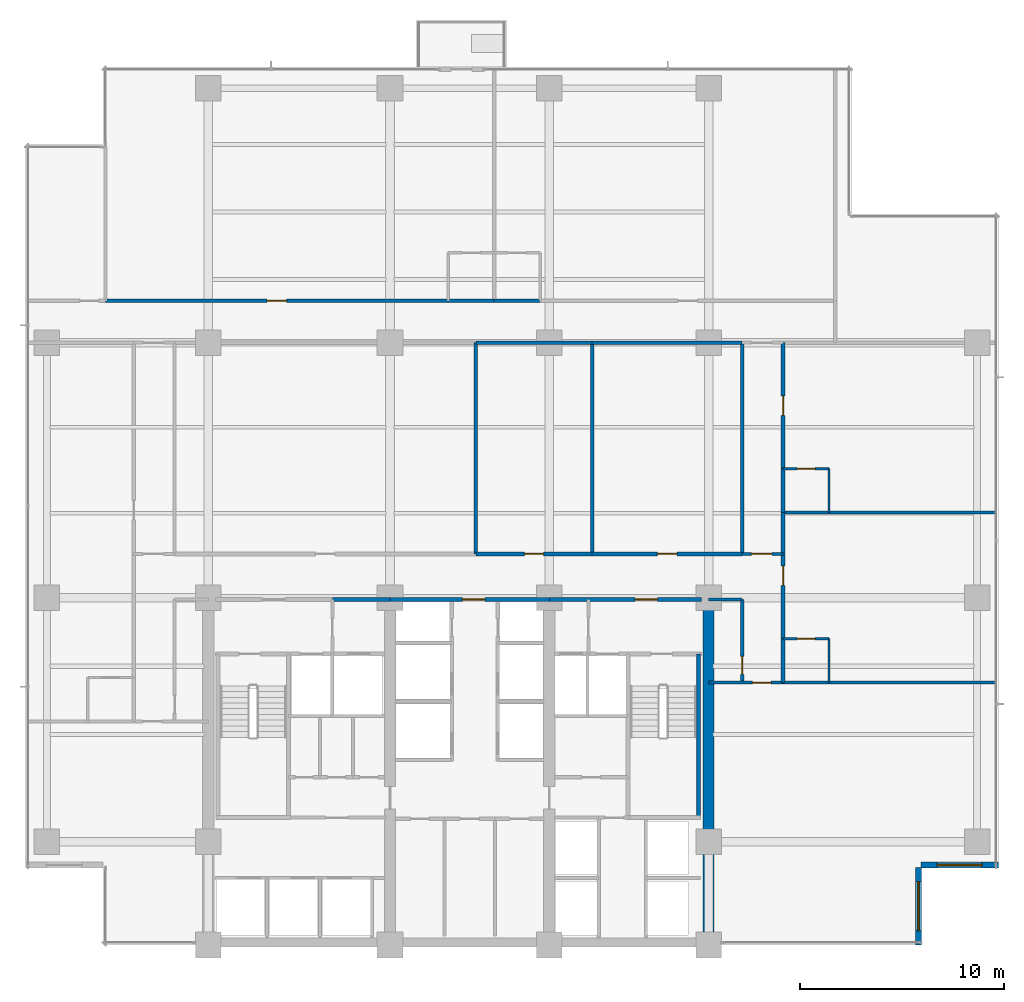
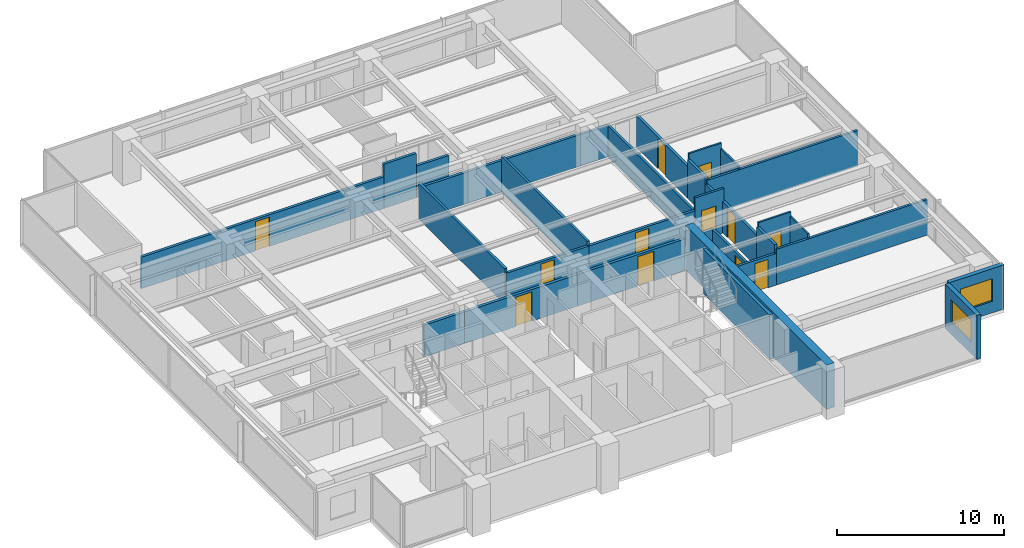
# One storey, part 10 of 16: 31 walls, 12 doors, 2 windows, 14 openings.
"""IFC4 building model written with IfcOpenShell, lengths in metres."""

from ifc_helpers import new_model, si_unit, direction, frame, frame_2d, origin, place, context, subcontext, project, spatial, rectangle, extrude, material, layer, layer_set, type_object, element, fill, save


model = new_model("IFC4")

# Units and contexts
model_context = context("Model", 3, precision=1e-05, world=origin(), true_north=direction((0.0, 1.0)))
body_context = subcontext(model_context, "Body", "Model", "MODEL_VIEW")
ifc_project = project(units=[si_unit("LENGTHUNIT", "METRE"), si_unit("AREAUNIT", "SQUARE_METRE"), si_unit("VOLUMEUNIT", "CUBIC_METRE"), si_unit("PLANEANGLEUNIT", "RADIAN"), si_unit("MASSUNIT", "GRAM", prefix="KILO")], contexts=[model_context])

# Site, building, storey
site_placement = place(None, origin())
site = spatial("IfcSite", under=ifc_project, at=site_placement, CompositionType="ELEMENT")
building_placement = place(site_placement, origin())
building = spatial("IfcBuilding", under=site, at=building_placement, Name="Qalmaran Belvedere Hotel", CompositionType="ELEMENT")
storey_placement = place(building_placement, frame((0.0, 0.0, 123.199951171875)))
storey = spatial("IfcBuildingStorey", under=building, at=storey_placement, Name="L31", CompositionType="ELEMENT", Elevation=123.199951171875)

# Wall
ifc_material_1 = material(Name="Concrete C60/75", Category="concrete")
ifc_layer_1 = layer(ifc_material_1, 0.550048828125, Name="Concrete C60/75")
ifc_layer_set_1 = layer_set([ifc_layer_1], Name="Concrete C60/75")
wall_type_1 = type_object("IfcWallType", Name="WL-CORE-550-C60", PredefinedType="SHEAR", material=ifc_layer_set_1)
wall_1_placement = place(storey_placement, frame((44.800048828125, 3.5, 0.0), z_axis=(0.0, 0.0, 1.0), x_axis=(0.0, 1.0, 0.0)))
element("IfcWall", 1, at=wall_1_placement, inside=storey, type_object=wall_type_1, Name="L31 East Core Shear Wall", PredefinedType="SHEAR", context=body_context, shape_type="SweptSolid", body=[
    extrude(rectangle(XDim=16.89990234375, YDim=0.550048828125, at=frame_2d((8.449951171875, 0.0))), origin(), (0.0, 0.0, 1.0), 3.239990234375),
])

# Wall, opening, window
ifc_material_2 = material(Name="Anodised Bronze Cladding")
ifc_layer_2 = layer(ifc_material_2, 0.280029296875, Name="Anodised Bronze Cladding")
ifc_layer_set_2 = layer_set([ifc_layer_2], Name="Anodised Bronze Cladding")
wall_type_2 = type_object("IfcWallType", Name="WL-EXT-BRNZ-280", PredefinedType="SOLIDWALL", material=ifc_layer_set_2)
wall_2_placement = place(storey_placement, frame((55.080078125, 3.5, 0.0), z_axis=(0.0, 0.0, 1.0), x_axis=(0.0, 1.0, 0.0)))
wall_2 = element("IfcWall", 2, at=wall_2_placement, inside=storey, type_object=wall_type_2, Name="L31 Corner Notch Wall 1", PredefinedType="SOLIDWALL", context=body_context, shape_type="SweptSolid", body=[
    extrude(rectangle(XDim=3.800048828125, YDim=0.280029296875, at=frame_2d((1.89990234375, 0.0))), origin(), (0.0, 0.0, 1.0), 3.239990234375),
])
opening_1_placement = place(wall_2_placement, frame((0.699951171875, 0.0, 0.85009765625)))
opening_1 = element("IfcOpeningElement", 3, at=opening_1_placement, cuts=wall_2, Name="Opening W-N24", PredefinedType="OPENING", context=body_context, shape_type="SweptSolid", body=[
    extrude(rectangle(XDim=2.39990234375, YDim=1.64990234375, at=frame_2d((1.199951171875, 0.824951171875))), frame((0.0, 0.14990234375, 0.0), z_axis=(0.0, -1.0, 0.0), x_axis=(1.0, 0.0, 0.0)), (0.0, 0.0, 1.0), 0.300048828125),
])
ifc_material_3 = material(Name="Solar-Control Double Glazing", Category="glass")
window_type_1 = type_object("IfcWindowType", Name="WN-NTC-2400X1650", PartitioningType="SINGLE_PANEL", PredefinedType="WINDOW", material=ifc_material_3)
window_1_placement = place(opening_1_placement, origin())
window_1 = element("IfcWindow", 4, at=window_1_placement, inside=storey, type_object=window_type_1, Name="L31 Corner Notch Window 1", OverallHeight=1.64990234375, OverallWidth=2.39990234375, PartitioningType="SINGLE_PANEL", PredefinedType="WINDOW", context=body_context, shape_type="SweptSolid", body=[
    extrude(rectangle(XDim=2.39990234375, YDim=1.64990234375, at=frame_2d((1.199951171875, 0.824951171875))), frame((0.0, 0.030029296875, 0.0), z_axis=(0.0, -1.0, 0.0), x_axis=(1.0, 0.0, 0.0)), (0.0, 0.0, 1.0), 0.06005859375),
])
fill(opening_1, window_1)

wall_3_placement = place(storey_placement, frame((55.199951171875, 7.419921875, 0.0), z_axis=(0.0, 0.0, 1.0), x_axis=(1.0, 0.0, 0.0)))
wall_3 = element("IfcWall", 5, at=wall_3_placement, inside=storey, type_object=wall_type_2, Name="L31 Corner Notch Wall 2", PredefinedType="SOLIDWALL", context=body_context, shape_type="SweptSolid", body=[
    extrude(rectangle(XDim=3.800048828125, YDim=0.280029296875, at=frame_2d((1.89990234375, 0.0))), origin(), (0.0, 0.0, 1.0), 3.239990234375),
])
opening_2_placement = place(wall_3_placement, frame((0.800048828125, 0.0, 0.85009765625)))
opening_2 = element("IfcOpeningElement", 6, at=opening_2_placement, cuts=wall_3, Name="Opening W-N22", PredefinedType="OPENING", context=body_context, shape_type="SweptSolid", body=[
    extrude(rectangle(XDim=2.199951171875, YDim=1.64990234375, at=frame_2d((1.10009765625, 0.824951171875))), frame((0.0, 0.14990234375, 0.0), z_axis=(0.0, -1.0, 0.0), x_axis=(1.0, 0.0, 0.0)), (0.0, 0.0, 1.0), 0.300048828125),
])
window_type_2 = type_object("IfcWindowType", Name="WN-NTC-2200X1650", PartitioningType="SINGLE_PANEL", PredefinedType="WINDOW", material=ifc_material_3)
window_2_placement = place(opening_2_placement, origin())
window_2 = element("IfcWindow", 7, at=window_2_placement, inside=storey, type_object=window_type_2, Name="L31 Corner Notch Window 2", OverallHeight=1.64990234375, OverallWidth=2.199951171875, PartitioningType="SINGLE_PANEL", PredefinedType="WINDOW", context=body_context, shape_type="SweptSolid", body=[
    extrude(rectangle(XDim=2.199951171875, YDim=1.64990234375, at=frame_2d((1.10009765625, 0.824951171875))), frame((0.0, 0.030029296875, 0.0), z_axis=(0.0, -1.0, 0.0), x_axis=(1.0, 0.0, 0.0)), (0.0, 0.0, 1.0), 0.06005859375),
])
fill(opening_2, window_2)

# Wall, opening, door
ifc_material_4 = material(Name="Moisture-Resistant Gypsum")
ifc_layer_3 = layer(ifc_material_4, 0.1201171875, Name="Moisture-Resistant Gypsum")
ifc_layer_set_3 = layer_set([ifc_layer_3], Name="Moisture-Resistant Gypsum")
wall_type_3 = type_object("IfcWallType", Name="WL-INT-120-BATH", PredefinedType="PARTITIONING", material=ifc_layer_set_3)
wall_4_placement = place(storey_placement, frame((48.449951171875, 18.5, 0.0), z_axis=(0.0, 0.0, 1.0), x_axis=(1.0, 0.0, 0.0)))
wall_4 = element("IfcWall", 8, at=wall_4_placement, inside=storey, type_object=wall_type_3, Name="L31 Partition WL-L31-EBN00", PredefinedType="PARTITIONING", context=body_context, shape_type="SweptSolid", body=[
    extrude(rectangle(XDim=2.25, YDim=0.1201171875, at=frame_2d((1.125, 0.0))), origin(), (0.0, 0.0, 1.0), 3.239990234375),
])
opening_3_placement = place(wall_4_placement, frame((1.56494140625, 0.0, 0.0), z_axis=(0.0, 0.0, 1.0), x_axis=(-1.0, 0.0, 0.0)))
opening_3 = element("IfcOpeningElement", 9, at=opening_3_placement, cuts=wall_4, Name="Opening D-BATH", PredefinedType="OPENING", context=body_context, shape_type="SweptSolid", body=[
    extrude(rectangle(XDim=0.8798828125, YDim=2.080078125, at=frame_2d((0.43994140625, 1.0400390625))), frame((0.0, 0.070068359375, 0.0), z_axis=(0.0, -1.0, 0.0), x_axis=(1.0, 0.0, 0.0)), (0.0, 0.0, 1.0), 0.14013671875),
])
ifc_material_5 = material(Name="Engineered Oak Veneer")
door_type_1 = type_object("IfcDoorType", Name="DR-INT-BATH-880X2080", OperationType="NOTDEFINED", PredefinedType="DOOR", material=ifc_material_5)
door_1_placement = place(opening_3_placement, origin())
door_1 = element("IfcDoor", 10, at=door_1_placement, inside=storey, type_object=door_type_1, Name="L31 E Ensuite Door 01", OperationType="SINGLE_SWING_RIGHT", OverallHeight=2.080078125, OverallWidth=0.8798828125, PredefinedType="DOOR", context=body_context, shape_type="SweptSolid", body=[
    extrude(rectangle(XDim=0.8798828125, YDim=2.080078125, at=frame_2d((0.43994140625, 1.0400390625))), frame((0.0, 0.02490234375, 0.0), z_axis=(0.0, -1.0, 0.0), x_axis=(1.0, 0.0, 0.0)), (0.0, 0.0, 1.0), 0.050048828125),
])
fill(opening_3, door_1)

# Wall
wall_5_placement = place(storey_placement, frame((50.699951171875, 16.35009765625, 0.0), z_axis=(0.0, 0.0, 1.0), x_axis=(0.0, 1.0, 0.0)))
element("IfcWall", 11, at=wall_5_placement, inside=storey, type_object=wall_type_3, Name="L31 Partition WL-L31-EBS00", PredefinedType="PARTITIONING", context=body_context, shape_type="SweptSolid", body=[
    extrude(rectangle(XDim=2.14990234375, YDim=0.1201171875, at=frame_2d((1.074951171875, 0.0))), origin(), (0.0, 0.0, 1.0), 2.922119140625),
])

# Wall, opening, door
wall_6_placement = place(storey_placement, frame((48.449951171875, 26.824951171875, 0.0), z_axis=(0.0, 0.0, 1.0), x_axis=(1.0, 0.0, 0.0)))
wall_6 = element("IfcWall", 12, at=wall_6_placement, inside=storey, type_object=wall_type_3, Name="L31 Partition WL-L31-EBN01", PredefinedType="PARTITIONING", context=body_context, shape_type="SweptSolid", body=[
    extrude(rectangle(XDim=2.25, YDim=0.1201171875, at=frame_2d((1.125, 0.0))), origin(), (0.0, 0.0, 1.0), 3.239990234375),
])
opening_4_placement = place(wall_6_placement, frame((1.56494140625, 0.0, 0.0), z_axis=(0.0, 0.0, 1.0), x_axis=(-1.0, 0.0, 0.0)))
opening_4 = element("IfcOpeningElement", 13, at=opening_4_placement, cuts=wall_6, Name="Opening D-BATH", PredefinedType="OPENING", context=body_context, shape_type="SweptSolid", body=[
    extrude(rectangle(XDim=0.8798828125, YDim=2.080078125, at=frame_2d((0.43994140625, 1.0400390625))), frame((0.0, 0.070068359375, 0.0), z_axis=(0.0, -1.0, 0.0), x_axis=(1.0, 0.0, 0.0)), (0.0, 0.0, 1.0), 0.14013671875),
])
door_2_placement = place(opening_4_placement, origin())
door_2 = element("IfcDoor", 14, at=door_2_placement, inside=storey, type_object=door_type_1, Name="L31 E Ensuite Door 02", OperationType="SINGLE_SWING_RIGHT", OverallHeight=2.080078125, OverallWidth=0.8798828125, PredefinedType="DOOR", context=body_context, shape_type="SweptSolid", body=[
    extrude(rectangle(XDim=0.8798828125, YDim=2.080078125, at=frame_2d((0.43994140625, 1.0400390625))), frame((0.0, 0.02490234375, 0.0), z_axis=(0.0, -1.0, 0.0), x_axis=(1.0, 0.0, 0.0)), (0.0, 0.0, 1.0), 0.050048828125),
])
fill(opening_4, door_2)

# Wall
wall_7_placement = place(storey_placement, frame((50.699951171875, 24.675048828125, 0.0), z_axis=(0.0, 0.0, 1.0), x_axis=(0.0, 1.0, 0.0)))
element("IfcWall", 15, at=wall_7_placement, inside=storey, type_object=wall_type_3, Name="L31 Partition WL-L31-EBS01", PredefinedType="PARTITIONING", context=body_context, shape_type="SweptSolid", body=[
    extrude(rectangle(XDim=2.14990234375, YDim=0.1201171875, at=frame_2d((1.074951171875, 0.0))), origin(), (0.0, 0.0, 1.0), 2.818115234375),
])

# Wall, opening, door
ifc_material_6 = material(Name="Gypsum Stud Partition")
ifc_layer_4 = layer(ifc_material_6, 0.14990234375, Name="Gypsum Stud Partition")
ifc_layer_set_4 = layer_set([ifc_layer_4], Name="Gypsum Stud Partition")
wall_type_4 = type_object("IfcWallType", Name="WL-INT-150-EI60", PredefinedType="PARTITIONING", material=ifc_layer_set_4)
wall_8_placement = place(storey_placement, frame((46.449951171875, 22.64990234375, 0.0), z_axis=(0.0, 0.0, 1.0), x_axis=(1.0, 0.0, 0.0)))
wall_8 = element("IfcWall", 16, at=wall_8_placement, inside=storey, type_object=wall_type_4, Name="L31 Partition WL-L31-XCE1", PredefinedType="PARTITIONING", context=body_context, shape_type="SweptSolid", body=[
    extrude(rectangle(XDim=2.0, YDim=0.14990234375, at=frame_2d((1.0, 0.0))), origin(), (0.0, 0.0, 1.0), 3.239990234375),
])
opening_5_placement = place(wall_8_placement, frame((0.449951171875, 0.0, 0.0)))
opening_5 = element("IfcOpeningElement", 17, at=opening_5_placement, cuts=wall_8, Name="Opening FD90B", PredefinedType="OPENING", context=body_context, shape_type="SweptSolid", body=[
    extrude(rectangle(XDim=1.0, YDim=2.14990234375, at=frame_2d((0.5, 1.074951171875))), frame((0.0, 0.0849609375, 0.0), z_axis=(0.0, -1.0, 0.0), x_axis=(1.0, 0.0, 0.0)), (0.0, 0.0, 1.0), 0.169921875),
])
ifc_material_7 = material(Name="Steel S355JR", Category="steel")
door_type_2 = type_object("IfcDoorType", Name="DR-FD90B-1000X2150", OperationType="NOTDEFINED", PredefinedType="DOOR", material=ifc_material_7)
door_3_placement = place(opening_5_placement, origin())
door_3 = element("IfcDoor", 18, at=door_3_placement, inside=storey, type_object=door_type_2, Name="L31 East Corridor Smoke Door S", OperationType="SINGLE_SWING_LEFT", OverallHeight=2.14990234375, OverallWidth=1.0, PredefinedType="DOOR", context=body_context, shape_type="SweptSolid", body=[
    extrude(rectangle(XDim=1.0, YDim=2.14990234375, at=frame_2d((0.5, 1.074951171875))), frame((0.0, 0.02490234375, 0.0), z_axis=(0.0, -1.0, 0.0), x_axis=(1.0, 0.0, 0.0)), (0.0, 0.0, 1.0), 0.050048828125),
])
fill(opening_5, door_3)

ifc_layer_5 = layer(ifc_material_6, 0.159912109375, Name="Gypsum Stud Partition")
ifc_layer_set_5 = layer_set([ifc_layer_5], Name="Gypsum Stud Partition")
wall_type_5 = type_object("IfcWallType", Name="WL-INT-160-EI60", PredefinedType="PARTITIONING", material=ifc_layer_set_5)
wall_9_placement = place(storey_placement, frame((44.800048828125, 16.35009765625, 0.0), z_axis=(0.0, 0.0, 1.0), x_axis=(1.0, 0.0, 0.0)))
wall_9 = element("IfcWall", 19, at=wall_9_placement, inside=storey, type_object=wall_type_5, Name="L31 Partition WL-L31-SERL", PredefinedType="PARTITIONING", context=body_context, shape_type="SweptSolid", body=[
    extrude(rectangle(XDim=3.64990234375, YDim=0.159912109375, at=frame_2d((1.824951171875, 0.0))), origin(), (0.0, 0.0, 1.0), 2.31298828125),
])
opening_6_placement = place(wall_9_placement, frame((3.06982421875, 0.0, 0.0), z_axis=(0.0, 0.0, 1.0), x_axis=(-1.0, 0.0, 0.0)))
opening_6 = element("IfcOpeningElement", 20, at=opening_6_placement, cuts=wall_9, Name="Opening FD60S1", PredefinedType="OPENING", context=body_context, shape_type="SweptSolid", body=[
    extrude(rectangle(XDim=0.919921875, YDim=2.080078125, at=frame_2d((0.4599609375, 1.0400390625))), frame((0.0, 0.08984375, 0.0), z_axis=(0.0, -1.0, 0.0), x_axis=(1.0, 0.0, 0.0)), (0.0, 0.0, 1.0), 0.179931640625),
])
door_type_3 = type_object("IfcDoorType", Name="DR-FD60S-920X2080", OperationType="NOTDEFINED", PredefinedType="DOOR", material=ifc_material_5)
door_4_placement = place(opening_6_placement, origin())
door_4 = element("IfcDoor", 21, at=door_4_placement, inside=storey, type_object=door_type_3, Name="L31 SE Lounge Door", OperationType="SINGLE_SWING_RIGHT", OverallHeight=2.080078125, OverallWidth=0.919921875, PredefinedType="DOOR", context=body_context, shape_type="SweptSolid", body=[
    extrude(rectangle(XDim=0.919921875, YDim=2.080078125, at=frame_2d((0.4599609375, 1.0400390625))), frame((0.0, 0.02490234375, 0.0), z_axis=(0.0, -1.0, 0.0), x_axis=(1.0, 0.0, 0.0)), (0.0, 0.0, 1.0), 0.050048828125),
])
fill(opening_6, door_4)

wall_10_placement = place(storey_placement, frame((46.449951171875, 16.35009765625, 0.0), z_axis=(0.0, 0.0, 1.0), x_axis=(0.0, 1.0, 0.0)))
wall_10 = element("IfcWall", 22, at=wall_10_placement, inside=storey, type_object=wall_type_5, Name="L31 Partition WL-L31-ECL", PredefinedType="PARTITIONING", context=body_context, shape_type="SweptSolid", body=[
    extrude(rectangle(XDim=4.06982421875, YDim=0.159912109375, at=frame_2d((2.034912109375, 0.0))), origin(), (0.0, 0.0, 1.0), 2.31298828125),
])
opening_7_placement = place(wall_10_placement, frame((0.39990234375, 0.0, 0.0)))
opening_7 = element("IfcOpeningElement", 23, at=opening_7_placement, cuts=wall_10, Name="Opening FD60B", PredefinedType="OPENING", context=body_context, shape_type="SweptSolid", body=[
    extrude(rectangle(XDim=0.8798828125, YDim=2.080078125, at=frame_2d((0.43994140625, 1.0400390625))), frame((0.0, 0.08984375, 0.0), z_axis=(0.0, -1.0, 0.0), x_axis=(1.0, 0.0, 0.0)), (0.0, 0.0, 1.0), 0.179931640625),
])
door_type_4 = type_object("IfcDoorType", Name="DR-FD60B-880X2080", OperationType="NOTDEFINED", PredefinedType="DOOR", material=ifc_material_7)
door_5_placement = place(opening_7_placement, origin())
door_5 = element("IfcDoor", 24, at=door_5_placement, inside=storey, type_object=door_type_4, Name="L31 East Closet Door", OperationType="SINGLE_SWING_RIGHT", OverallHeight=2.080078125, OverallWidth=0.8798828125, PredefinedType="DOOR", context=body_context, shape_type="SweptSolid", body=[
    extrude(rectangle(XDim=0.8798828125, YDim=2.080078125, at=frame_2d((0.43994140625, 1.0400390625))), frame((0.0, 0.02490234375, 0.0), z_axis=(0.0, -1.0, 0.0), x_axis=(1.0, 0.0, 0.0)), (0.0, 0.0, 1.0), 0.050048828125),
])
fill(opening_7, door_5)

# Walls
wall_11_placement = place(storey_placement, frame((44.800048828125, 20.419921875, 0.0), z_axis=(0.0, 0.0, 1.0), x_axis=(1.0, 0.0, 0.0)))
element("IfcWall", 25, at=wall_11_placement, inside=storey, type_object=wall_type_5, Name="L31 Partition WL-L31-ECLN", PredefinedType="PARTITIONING", context=body_context, shape_type="SweptSolid", body=[
    extrude(rectangle(XDim=1.64990234375, YDim=0.159912109375, at=frame_2d((0.824951171875, 0.0))), origin(), (0.0, 0.0, 1.0), 2.31298828125),
])
for number, where, z_axis, x_axis, name in (
    (26, (33.39990234375, 22.64990234375, 0.0), (0.0, 0.0, 1.0), (0.0, 1.0, 0.0), "L31 Partition WL-L31-MIDVR1"),
    (27, (39.10009765625, 22.64990234375, 0.0), (0.0, 0.0, 1.0), (0.0, 1.0, 0.0), "L31 Partition WL-L31-MIDVR2"),
):
    element("IfcWall", number, at=place(storey_placement, frame(where, z_axis=z_axis, x_axis=x_axis)), inside=storey, type_object=wall_type_5, Name=name, PredefinedType="PARTITIONING", context=body_context, shape_type="SweptSolid", body=[
        extrude(rectangle(XDim=10.35009765625, YDim=0.159912109375, at=frame_2d((5.175048828125, 0.0))), origin(), (0.0, 0.0, 1.0), 2.614013671875),
    ])
wall_12_placement = place(storey_placement, frame((46.449951171875, 22.64990234375, 0.0), z_axis=(0.0, 0.0, 1.0), x_axis=(0.0, 1.0, 0.0)))
element("IfcWall", 28, at=wall_12_placement, inside=storey, type_object=wall_type_5, Name="L31 Partition WL-L31-MIDVR3", PredefinedType="PARTITIONING", context=body_context, shape_type="SweptSolid", body=[
    extrude(rectangle(XDim=10.35009765625, YDim=0.159912109375, at=frame_2d((5.175048828125, 0.0))), origin(), (0.0, 0.0, 1.0), 2.31298828125),
])
for number, where, z_axis, x_axis, name in (
    (29, (48.449951171875, 16.35009765625, 0.0), (0.0, 0.0, 1.0), (1.0, 0.0, 0.0), "L31 Partition WL-L31-EBOT"),
    (30, (48.449951171875, 24.675048828125, 0.0), (0.0, 0.0, 1.0), (1.0, 0.0, 0.0), "L31 Partition WL-L31-EU00"),
):
    element("IfcWall", number, at=place(storey_placement, frame(where, z_axis=z_axis, x_axis=x_axis)), inside=storey, type_object=wall_type_5, Name=name, PredefinedType="PARTITIONING", context=body_context, shape_type="SweptSolid", body=[
        extrude(rectangle(XDim=10.429931640625, YDim=0.159912109375, at=frame_2d((5.21484375, 0.0))), origin(), (0.0, 0.0, 1.0), 2.60302734375),
    ])

# Wall, opening, door
ifc_layer_6 = layer(ifc_material_6, 0.179931640625, Name="Gypsum Stud Partition")
ifc_layer_set_6 = layer_set([ifc_layer_6], Name="Gypsum Stud Partition")
wall_type_6 = type_object("IfcWallType", Name="WL-INT-180-EI60", PredefinedType="PARTITIONING", material=ifc_layer_set_6)
wall_13_placement = place(storey_placement, frame((33.39990234375, 22.64990234375, 0.0), z_axis=(0.0, 0.0, 1.0), x_axis=(1.0, 0.0, 0.0)))
wall_13 = element("IfcWall", 31, at=wall_13_placement, inside=storey, type_object=wall_type_6, Name="L31 Partition WL-L31-MIDD2", PredefinedType="PARTITIONING", context=body_context, shape_type="SweptSolid", body=[
    extrude(rectangle(XDim=5.7001953125, YDim=0.179931640625, at=frame_2d((2.85009765625, 0.0))), origin(), (0.0, 0.0, 1.0), 2.31298828125),
])
opening_8_placement = place(wall_13_placement, frame((2.375, 0.0, 0.0)))
opening_8 = element("IfcOpeningElement", 32, at=opening_8_placement, cuts=wall_13, Name="Opening FD60", PredefinedType="OPENING", context=body_context, shape_type="SweptSolid", body=[
    extrude(rectangle(XDim=0.949951171875, YDim=2.14990234375, at=frame_2d((0.47509765625, 1.074951171875))), frame((0.0, 0.10009765625, 0.0), z_axis=(0.0, -1.0, 0.0), x_axis=(1.0, 0.0, 0.0)), (0.0, 0.0, 1.0), 0.199951171875),
])
door_type_5 = type_object("IfcDoorType", Name="DR-FD60-950X2150", OperationType="NOTDEFINED", PredefinedType="DOOR", material=ifc_material_5)
door_6_placement = place(opening_8_placement, origin())
door_6 = element("IfcDoor", 33, at=door_6_placement, inside=storey, type_object=door_type_5, Name="L31 Luggage Store Door", OperationType="SINGLE_SWING_RIGHT", OverallHeight=2.14990234375, OverallWidth=0.949951171875, PredefinedType="DOOR", context=body_context, shape_type="SweptSolid", body=[
    extrude(rectangle(XDim=0.949951171875, YDim=2.14990234375, at=frame_2d((0.47509765625, 1.074951171875))), frame((0.0, 0.02490234375, 0.0), z_axis=(0.0, -1.0, 0.0), x_axis=(1.0, 0.0, 0.0)), (0.0, 0.0, 1.0), 0.050048828125),
])
fill(opening_8, door_6)

# Wall
wall_14_placement = place(storey_placement, frame((33.39990234375, 33.0, 0.0), z_axis=(0.0, 0.0, 1.0), x_axis=(1.0, 0.0, 0.0)))
element("IfcWall", 34, at=wall_14_placement, inside=storey, type_object=wall_type_6, Name="L31 Partition WL-L31-MIDO2", PredefinedType="PARTITIONING", context=body_context, shape_type="SweptSolid", body=[
    extrude(rectangle(XDim=5.7001953125, YDim=0.179931640625, at=frame_2d((2.85009765625, 0.0))), origin(), (0.0, 0.0, 1.0), 2.31298828125),
])

# Wall, opening, door
wall_15_placement = place(storey_placement, frame((39.10009765625, 22.64990234375, 0.0), z_axis=(0.0, 0.0, 1.0), x_axis=(1.0, 0.0, 0.0)))
wall_15 = element("IfcWall", 35, at=wall_15_placement, inside=storey, type_object=wall_type_6, Name="L31 Partition WL-L31-MIDD3", PredefinedType="PARTITIONING", context=body_context, shape_type="SweptSolid", body=[
    extrude(rectangle(XDim=7.349853515625, YDim=0.179931640625, at=frame_2d((3.6748046875, 0.0))), origin(), (0.0, 0.0, 1.0), 2.31298828125),
])
opening_9_placement = place(wall_15_placement, frame((3.199951171875, 0.0, 0.0)))
opening_9 = element("IfcOpeningElement", 36, at=opening_9_placement, cuts=wall_15, Name="Opening FD60", PredefinedType="OPENING", context=body_context, shape_type="SweptSolid", body=[
    extrude(rectangle(XDim=0.949951171875, YDim=2.14990234375, at=frame_2d((0.47509765625, 1.074951171875))), frame((0.0, 0.10009765625, 0.0), z_axis=(0.0, -1.0, 0.0), x_axis=(1.0, 0.0, 0.0)), (0.0, 0.0, 1.0), 0.199951171875),
])
door_7_placement = place(opening_9_placement, origin())
door_7 = element("IfcDoor", 37, at=door_7_placement, inside=storey, type_object=door_type_5, Name="L31 Butler Pantry Door", OperationType="SINGLE_SWING_LEFT", OverallHeight=2.14990234375, OverallWidth=0.949951171875, PredefinedType="DOOR", context=body_context, shape_type="SweptSolid", body=[
    extrude(rectangle(XDim=0.949951171875, YDim=2.14990234375, at=frame_2d((0.47509765625, 1.074951171875))), frame((0.0, 0.02490234375, 0.0), z_axis=(0.0, -1.0, 0.0), x_axis=(1.0, 0.0, 0.0)), (0.0, 0.0, 1.0), 0.050048828125),
])
fill(opening_9, door_7)

# Walls
wall_16_placement = place(storey_placement, frame((39.10009765625, 33.0, 0.0), z_axis=(0.0, 0.0, 1.0), x_axis=(1.0, 0.0, 0.0)))
element("IfcWall", 38, at=wall_16_placement, inside=storey, type_object=wall_type_6, Name="L31 Partition WL-L31-MIDO3", PredefinedType="PARTITIONING", context=body_context, shape_type="SweptSolid", body=[
    extrude(rectangle(XDim=7.349853515625, YDim=0.179931640625, at=frame_2d((3.6748046875, 0.0))), origin(), (0.0, 0.0, 1.0), 2.31298828125),
])
wall_17_placement = place(storey_placement, frame((32.050048828125, 35.050048828125, 0.0), z_axis=(0.0, 0.0, 1.0), x_axis=(1.0, 0.0, 0.0)))
element("IfcWall", 39, at=wall_17_placement, inside=storey, type_object=wall_type_6, Name="L31 Partition WL-L31-NBC00", PredefinedType="PARTITIONING", context=body_context, shape_type="SweptSolid", body=[
    extrude(rectangle(XDim=2.25, YDim=0.179931640625, at=frame_2d((1.125, 0.0))), origin(), (0.0, 0.0, 1.0), 3.239990234375),
])

# Wall, opening, door
wall_18_placement = place(storey_placement, frame((15.27001953125, 35.050048828125, 0.0), z_axis=(0.0, 0.0, 1.0), x_axis=(1.0, 0.0, 0.0)))
wall_18 = element("IfcWall", 40, at=wall_18_placement, inside=storey, type_object=wall_type_6, Name="L31 Partition WL-L31-NEC00", PredefinedType="PARTITIONING", context=body_context, shape_type="SweptSolid", body=[
    extrude(rectangle(XDim=16.780029296875, YDim=0.179931640625, at=frame_2d((8.39013671875, 0.0))), origin(), (0.0, 0.0, 1.0), 2.31298828125),
])
opening_10_placement = place(wall_18_placement, frame((7.9150390625, 0.0, 0.0)))
opening_10 = element("IfcOpeningElement", 41, at=opening_10_placement, cuts=wall_18, Name="Opening FD60", PredefinedType="OPENING", context=body_context, shape_type="SweptSolid", body=[
    extrude(rectangle(XDim=0.949951171875, YDim=2.14990234375, at=frame_2d((0.47509765625, 1.074951171875))), frame((0.0, 0.10009765625, 0.0), z_axis=(0.0, -1.0, 0.0), x_axis=(1.0, 0.0, 0.0)), (0.0, 0.0, 1.0), 0.199951171875),
])
door_8_placement = place(opening_10_placement, origin())
door_8 = element("IfcDoor", 42, at=door_8_placement, inside=storey, type_object=door_type_5, Name="L31 Guest Entrance Door N01", OperationType="SINGLE_SWING_LEFT", OverallHeight=2.14990234375, OverallWidth=0.949951171875, PredefinedType="DOOR", context=body_context, shape_type="SweptSolid", body=[
    extrude(rectangle(XDim=0.949951171875, YDim=2.14990234375, at=frame_2d((0.47509765625, 1.074951171875))), frame((0.0, 0.02490234375, 0.0), z_axis=(0.0, -1.0, 0.0), x_axis=(1.0, 0.0, 0.0)), (0.0, 0.0, 1.0), 0.050048828125),
])
fill(opening_10, door_8)

# Walls
wall_19_placement = place(storey_placement, frame((34.300048828125, 35.050048828125, 0.0), z_axis=(0.0, 0.0, 1.0), x_axis=(1.0, 0.0, 0.0)))
element("IfcWall", 43, at=wall_19_placement, inside=storey, type_object=wall_type_6, Name="L31 Partition WL-L31-NBC01", PredefinedType="PARTITIONING", context=body_context, shape_type="SweptSolid", body=[
    extrude(rectangle(XDim=2.25, YDim=0.179931640625, at=frame_2d((1.125, 0.0))), origin(), (0.0, 0.0, 1.0), 2.31298828125),
])
wall_20_placement = place(storey_placement, frame((48.449951171875, 16.35009765625, 0.0), z_axis=(0.0, 0.0, 1.0), x_axis=(0.0, 1.0, 0.0)))
element("IfcWall", 44, at=wall_20_placement, inside=storey, type_object=wall_type_6, Name="L31 Partition WL-L31-EBC00", PredefinedType="PARTITIONING", context=body_context, shape_type="SweptSolid", body=[
    extrude(rectangle(XDim=2.14990234375, YDim=0.179931640625, at=frame_2d((1.074951171875, 0.0))), origin(), (0.0, 0.0, 1.0), 2.922119140625),
])

# Wall, opening, door
wall_21_placement = place(storey_placement, frame((48.449951171875, 18.5, 0.0), z_axis=(0.0, 0.0, 1.0), x_axis=(0.0, 1.0, 0.0)))
wall_21 = element("IfcWall", 45, at=wall_21_placement, inside=storey, type_object=wall_type_6, Name="L31 Partition WL-L31-EEC00", PredefinedType="PARTITIONING", context=body_context, shape_type="SweptSolid", body=[
    extrude(rectangle(XDim=6.175048828125, YDim=0.179931640625, at=frame_2d((3.08740234375, 0.0))), origin(), (0.0, 0.0, 1.0), 2.31298828125),
])
opening_11_placement = place(wall_21_placement, frame((3.5625, 0.0, 0.0), z_axis=(0.0, 0.0, 1.0), x_axis=(-1.0, 0.0, 0.0)))
opening_11 = element("IfcOpeningElement", 46, at=opening_11_placement, cuts=wall_21, Name="Opening FD60", PredefinedType="OPENING", context=body_context, shape_type="SweptSolid", body=[
    extrude(rectangle(XDim=0.949951171875, YDim=2.14990234375, at=frame_2d((0.47509765625, 1.074951171875))), frame((0.0, 0.10009765625, 0.0), z_axis=(0.0, -1.0, 0.0), x_axis=(1.0, 0.0, 0.0)), (0.0, 0.0, 1.0), 0.199951171875),
])
door_9_placement = place(opening_11_placement, origin())
door_9 = element("IfcDoor", 47, at=door_9_placement, inside=storey, type_object=door_type_5, Name="L31 E Wing Door 01", OperationType="SINGLE_SWING_LEFT", OverallHeight=2.14990234375, OverallWidth=0.949951171875, PredefinedType="DOOR", context=body_context, shape_type="SweptSolid", body=[
    extrude(rectangle(XDim=0.949951171875, YDim=2.14990234375, at=frame_2d((0.47509765625, 1.074951171875))), frame((0.0, 0.02490234375, 0.0), z_axis=(0.0, -1.0, 0.0), x_axis=(1.0, 0.0, 0.0)), (0.0, 0.0, 1.0), 0.050048828125),
])
fill(opening_11, door_9)

# Wall
wall_22_placement = place(storey_placement, frame((48.449951171875, 24.675048828125, 0.0), z_axis=(0.0, 0.0, 1.0), x_axis=(0.0, 1.0, 0.0)))
element("IfcWall", 48, at=wall_22_placement, inside=storey, type_object=wall_type_6, Name="L31 Partition WL-L31-EBC01", PredefinedType="PARTITIONING", context=body_context, shape_type="SweptSolid", body=[
    extrude(rectangle(XDim=2.14990234375, YDim=0.179931640625, at=frame_2d((1.074951171875, 0.0))), origin(), (0.0, 0.0, 1.0), 2.818115234375),
])

# Wall, opening, door
wall_23_placement = place(storey_placement, frame((48.449951171875, 26.824951171875, 0.0), z_axis=(0.0, 0.0, 1.0), x_axis=(0.0, 1.0, 0.0)))
wall_23 = element("IfcWall", 49, at=wall_23_placement, inside=storey, type_object=wall_type_6, Name="L31 Partition WL-L31-EEC01", PredefinedType="PARTITIONING", context=body_context, shape_type="SweptSolid", body=[
    extrude(rectangle(XDim=6.175048828125, YDim=0.179931640625, at=frame_2d((3.08740234375, 0.0))), origin(), (0.0, 0.0, 1.0), 2.31298828125),
])
opening_12_placement = place(wall_23_placement, frame((3.5625, 0.0, 0.0), z_axis=(0.0, 0.0, 1.0), x_axis=(-1.0, 0.0, 0.0)))
opening_12 = element("IfcOpeningElement", 50, at=opening_12_placement, cuts=wall_23, Name="Opening FD60", PredefinedType="OPENING", context=body_context, shape_type="SweptSolid", body=[
    extrude(rectangle(XDim=0.949951171875, YDim=2.14990234375, at=frame_2d((0.47509765625, 1.074951171875))), frame((0.0, 0.10009765625, 0.0), z_axis=(0.0, -1.0, 0.0), x_axis=(1.0, 0.0, 0.0)), (0.0, 0.0, 1.0), 0.199951171875),
])
door_10_placement = place(opening_12_placement, origin())
door_10 = element("IfcDoor", 51, at=door_10_placement, inside=storey, type_object=door_type_5, Name="L31 E Wing Door 02", OperationType="SINGLE_SWING_LEFT", OverallHeight=2.14990234375, OverallWidth=0.949951171875, PredefinedType="DOOR", context=body_context, shape_type="SweptSolid", body=[
    extrude(rectangle(XDim=0.949951171875, YDim=2.14990234375, at=frame_2d((0.47509765625, 1.074951171875))), frame((0.0, 0.02490234375, 0.0), z_axis=(0.0, -1.0, 0.0), x_axis=(1.0, 0.0, 0.0)), (0.0, 0.0, 1.0), 0.050048828125),
])
fill(opening_12, door_10)

# Wall
ifc_material_8 = material(Name="Concrete C30/37 Blockwork", Category="masonry")
ifc_layer_7 = layer(ifc_material_8, 0.199951171875, Name="Concrete C30/37 Blockwork")
ifc_layer_set_7 = layer_set([ifc_layer_7], Name="Concrete C30/37 Blockwork")
wall_type_7 = type_object("IfcWallType", Name="WL-INT-200-EI120", PredefinedType="PARTITIONING", material=ifc_layer_set_7)
wall_24_placement = place(storey_placement, frame((26.3798828125, 20.419921875, 0.0), z_axis=(0.0, 0.0, 1.0), x_axis=(1.0, 0.0, 0.0)))
element("IfcWall", 52, at=wall_24_placement, inside=storey, type_object=wall_type_7, Name="L31 Partition WL-CN1B-L31", PredefinedType="PARTITIONING", context=body_context, shape_type="SweptSolid", body=[
    extrude(rectangle(XDim=2.820068359375, YDim=0.199951171875, at=frame_2d((1.41015625, 0.0))), origin(), (0.0, 0.0, 1.0), 2.31298828125),
])

# Wall, opening, door
wall_25_placement = place(storey_placement, frame((29.199951171875, 20.419921875, 0.0), z_axis=(0.0, 0.0, 1.0), x_axis=(1.0, 0.0, 0.0)))
wall_25 = element("IfcWall", 53, at=wall_25_placement, inside=storey, type_object=wall_type_7, Name="L31 Partition WL-CN2-L31", PredefinedType="PARTITIONING", context=body_context, shape_type="SweptSolid", body=[
    extrude(rectangle(XDim=7.800048828125, YDim=0.199951171875, at=frame_2d((3.89990234375, 0.0))), origin(), (0.0, 0.0, 1.0), 2.31298828125),
])
opening_13_placement = place(wall_25_placement, frame((3.550048828125, 0.0, 0.0)))
opening_13 = element("IfcOpeningElement", 54, at=opening_13_placement, cuts=wall_25, Name="Opening FD90", PredefinedType="OPENING", context=body_context, shape_type="SweptSolid", body=[
    extrude(rectangle(XDim=1.10009765625, YDim=2.14990234375, at=frame_2d((0.550048828125, 1.074951171875))), frame((0.0, 0.10986328125, 0.0), z_axis=(0.0, -1.0, 0.0), x_axis=(1.0, 0.0, 0.0)), (0.0, 0.0, 1.0), 0.219970703125),
])
door_type_6 = type_object("IfcDoorType", Name="DR-FD90-1100X2150", OperationType="NOTDEFINED", PredefinedType="DOOR", material=ifc_material_7)
door_11_placement = place(opening_13_placement, origin())
door_11 = element("IfcDoor", 55, at=door_11_placement, inside=storey, type_object=door_type_6, Name="L31 Central Lift Lobby Door", OperationType="SINGLE_SWING_RIGHT", OverallHeight=2.14990234375, OverallWidth=1.10009765625, PredefinedType="DOOR", context=body_context, shape_type="SweptSolid", body=[
    extrude(rectangle(XDim=1.10009765625, YDim=2.14990234375, at=frame_2d((0.550048828125, 1.074951171875))), frame((0.0, 0.02490234375, 0.0), z_axis=(0.0, -1.0, 0.0), x_axis=(1.0, 0.0, 0.0)), (0.0, 0.0, 1.0), 0.050048828125),
])
fill(opening_13, door_11)

wall_26_placement = place(storey_placement, frame((37.0, 20.419921875, 0.0), z_axis=(0.0, 0.0, 1.0), x_axis=(1.0, 0.0, 0.0)))
wall_26 = element("IfcWall", 56, at=wall_26_placement, inside=storey, type_object=wall_type_7, Name="L31 Partition WL-CN3-L31", PredefinedType="PARTITIONING", context=body_context, shape_type="SweptSolid", body=[
    extrude(rectangle(XDim=7.449951171875, YDim=0.199951171875, at=frame_2d((3.72509765625, 0.0))), origin(), (0.0, 0.0, 1.0), 2.31298828125),
])
opening_14_placement = place(wall_26_placement, frame((4.199951171875, 0.0, 0.0)))
opening_14 = element("IfcOpeningElement", 57, at=opening_14_placement, cuts=wall_26, Name="Opening FD90", PredefinedType="OPENING", context=body_context, shape_type="SweptSolid", body=[
    extrude(rectangle(XDim=1.10009765625, YDim=2.14990234375, at=frame_2d((0.550048828125, 1.074951171875))), frame((0.0, 0.10986328125, 0.0), z_axis=(0.0, -1.0, 0.0), x_axis=(1.0, 0.0, 0.0)), (0.0, 0.0, 1.0), 0.219970703125),
])
door_12_placement = place(opening_14_placement, origin())
door_12 = element("IfcDoor", 58, at=door_12_placement, inside=storey, type_object=door_type_6, Name="L31 FF2 Lobby Corridor Door", OperationType="SINGLE_SWING_LEFT", OverallHeight=2.14990234375, OverallWidth=1.10009765625, PredefinedType="DOOR", context=body_context, shape_type="SweptSolid", body=[
    extrude(rectangle(XDim=1.10009765625, YDim=2.14990234375, at=frame_2d((0.550048828125, 1.074951171875))), frame((0.0, 0.02490234375, 0.0), z_axis=(0.0, -1.0, 0.0), x_axis=(1.0, 0.0, 0.0)), (0.0, 0.0, 1.0), 0.050048828125),
])
fill(opening_14, door_12)

# Wall
ifc_material_9 = material(Name="Concrete C50/60", Category="concrete")
ifc_layer_8 = layer(ifc_material_9, 0.2099609375, Name="Concrete C50/60")
ifc_layer_set_8 = layer_set([ifc_layer_8], Name="Concrete C50/60")
wall_type_8 = type_object("IfcWallType", Name="WL-STAIR-210-C50", PredefinedType="SHEAR", material=ifc_layer_set_8)
wall_27_placement = place(storey_placement, frame((44.304931640625, 9.7451171875, 0.0), z_axis=(0.0, 0.0, 1.0), x_axis=(0.0, 1.0, 0.0)))
element("IfcWall", 59, at=wall_27_placement, inside=storey, type_object=wall_type_8, Name="L31 Stair ST-2 East Bearing Wall", PredefinedType="SHEAR", context=body_context, shape_type="SweptSolid", body=[
    extrude(rectangle(XDim=8.009765625, YDim=0.2099609375, at=frame_2d((4.0048828125, 0.0))), origin(), (0.0, 0.0, 1.0), 3.239990234375),
])

save(model, "model.ifc")
